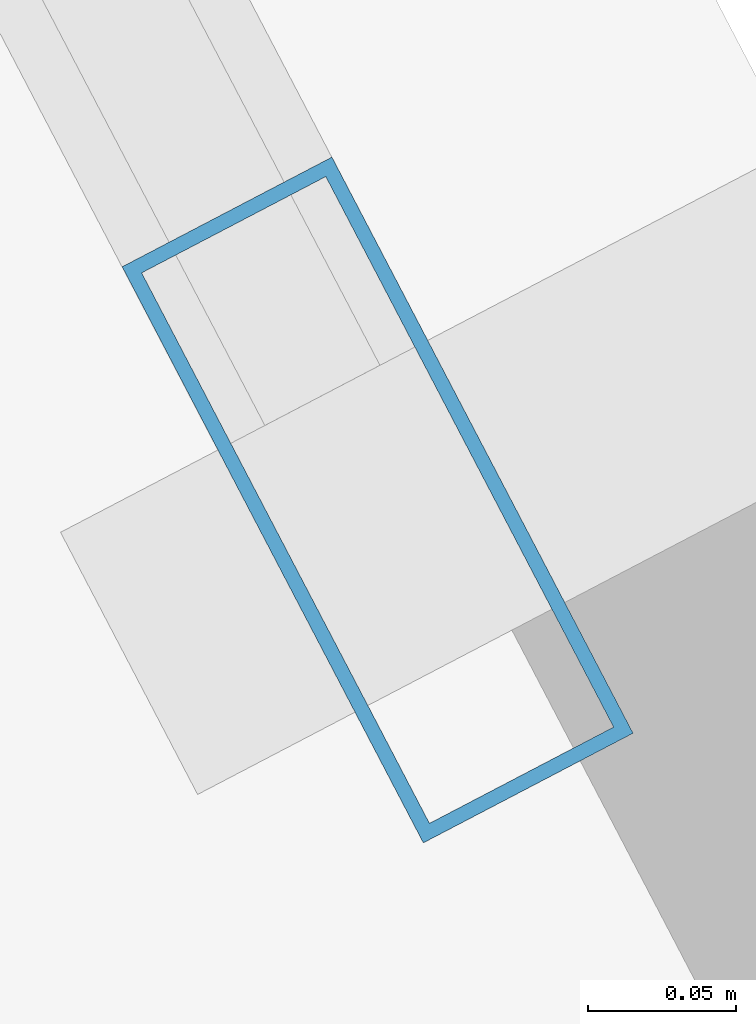
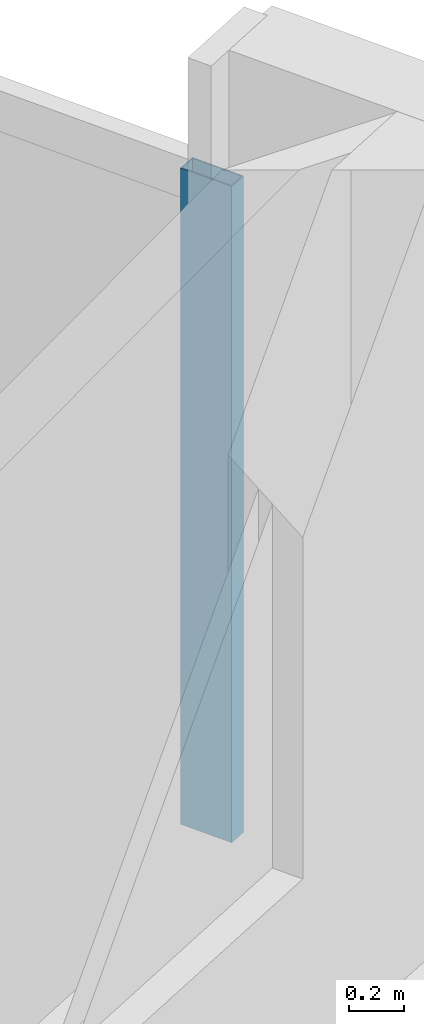
# One storey, part 24 of 33: 1 member, 1 element without a shape of its own.
"""IFC4 building model written with IfcOpenShell, lengths in metres."""

from ifc_helpers import new_model, si_unit, direction, frame, origin, origin_2d, place, context, subcontext, project, spatial, hollow_rectangle, extrude, material, material_profile, profile_set, type_object, element, aggregate, save


model = new_model("IFC4")

# Units and contexts
model_context = context("Model", 3, precision=1e-05, world=origin(), true_north=direction((0.0, 1.0)))
body_context = subcontext(model_context, "Body", "Model", "MODEL_VIEW")
ifc_project = project(units=[si_unit("LENGTHUNIT", "METRE"), si_unit("AREAUNIT", "SQUARE_METRE"), si_unit("VOLUMEUNIT", "CUBIC_METRE"), si_unit("PLANEANGLEUNIT", "RADIAN"), si_unit("MASSUNIT", "GRAM", prefix="KILO")], contexts=[model_context])

# Site, building, storey
site_placement = place(None, origin())
site = spatial("IfcSite", under=ifc_project, at=site_placement, CompositionType="ELEMENT")
building_placement = place(site_placement, origin())
building = spatial("IfcBuilding", under=site, at=building_placement, Name="Haldenkirk Collegiate Tower", CompositionType="ELEMENT")
storey_placement = place(building_placement, frame((0.0, 0.0, 120.449951171875)))
storey = spatial("IfcBuildingStorey", under=building, at=storey_placement, Name="L29", CompositionType="ELEMENT", Elevation=120.449951171875)

# Curtain wall, member
ifc_material = material(Name="Anodised architectural bronze aluminium", Category="aluminium")
curtain_wall_type = type_object("IfcCurtainWallType", Name="CW-SYS1-CONVEX-LOW", PredefinedType="USERDEFINED", material=ifc_material)
curtain_wall_placement = place(storey_placement, origin())
curtain_wall = element("IfcCurtainWall", 1, at=curtain_wall_placement, inside=storey, type_object=curtain_wall_type, Name="L29 Lower tower convex bronze-framed unitised curtain wall", ObjectType="UNITISED CURTAIN WALL", PredefinedType="USERDEFINED")
ifc_material_profile = material_profile(ifc_material, hollow_rectangle(XDim=0.080078125, YDim=0.219970703125, WallThickness=0.0048828125, at=origin_2d()), Name="CW-MUL-1A")
ifc_profile_set = profile_set([ifc_material_profile], Name="Anodised architectural bronze aluminium")
member_type = type_object("IfcMemberType", Name="CW-MUL-1A", PredefinedType="MULLION", material=ifc_profile_set)
member_placement = place(storey_placement, frame((67.594970703125, 20.756103515625, 0.0), z_axis=(0.0, 0.0, 1.0), x_axis=(0.88620357746, 0.463296038507, 0.0)))
member = element("IfcMember", 2, at=member_placement, type_object=member_type, Name="CW-1A mullion 5", PredefinedType="MULLION", context=body_context, shape_type="SweptSolid", body=[
    extrude(hollow_rectangle(XDim=0.080078125, YDim=0.219970703125, WallThickness=0.0048828125, at=origin_2d()), origin(), (0.0, 0.0, 1.0), 2.901123046875),
])
aggregate(curtain_wall, [member])

save(model, "model.ifc")
